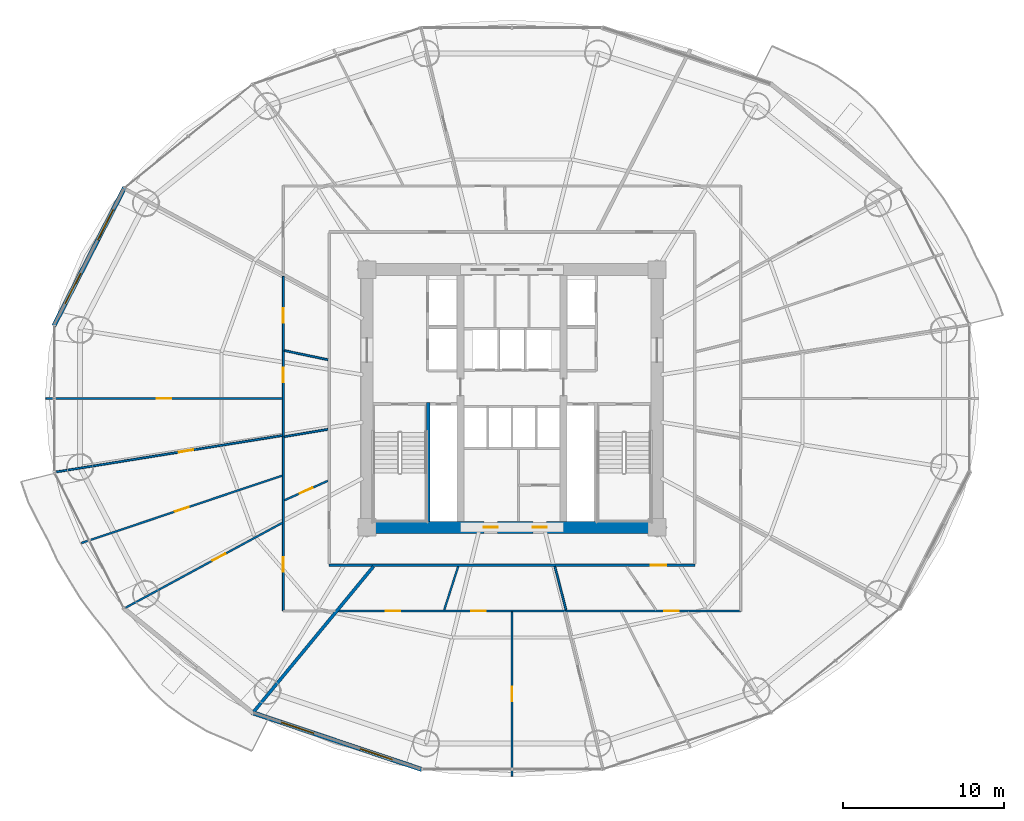
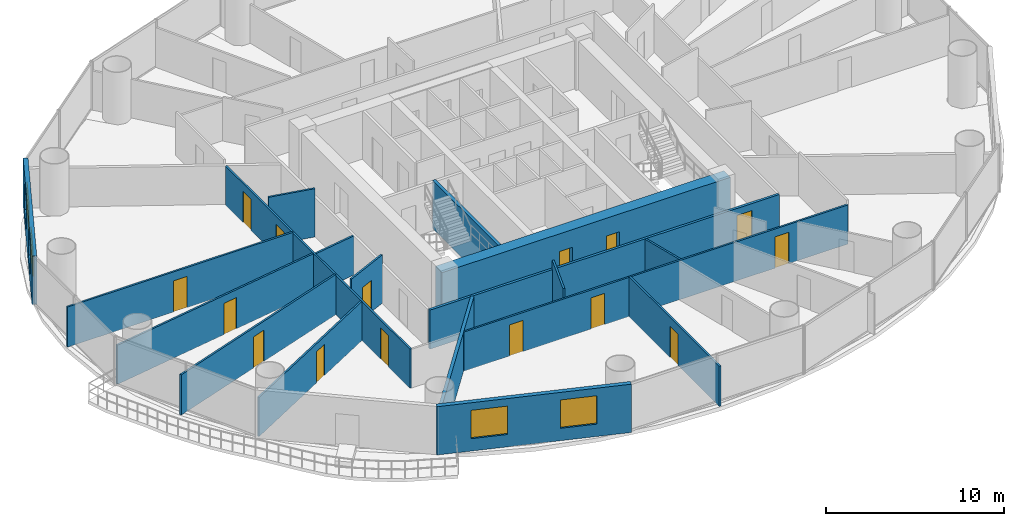
# One storey, part 22 of 29: 18 walls, 15 doors, 4 windows, 19 openings.
"""IFC4 building model written with IfcOpenShell, lengths in metres."""

from ifc_helpers import new_model, si_unit, direction, frame, frame_2d, origin, place, context, subcontext, project, spatial, rectangle, extrude, source, transform, mapped, material, layer, layer_set, type_object, element, fill, save


model = new_model("IFC4")

# Units and contexts
model_context = context("Model", 3, precision=1e-05, world=origin(), true_north=direction((-0.2419218956, 0.970295726276)))
body_context = subcontext(model_context, "Body", "Model", "MODEL_VIEW")
ifc_project = project(units=[si_unit("LENGTHUNIT", "METRE"), si_unit("AREAUNIT", "SQUARE_METRE"), si_unit("VOLUMEUNIT", "CUBIC_METRE"), si_unit("PLANEANGLEUNIT", "RADIAN"), si_unit("MASSUNIT", "GRAM", prefix="KILO")], contexts=[model_context])

# Site, building, storey
site_placement = place(None, origin())
site = spatial("IfcSite", under=ifc_project, at=site_placement, CompositionType="ELEMENT")
building_placement = place(site_placement, origin())
building = spatial("IfcBuilding", under=site, at=building_placement, Name="Cobrevalo Terracotta Tower", CompositionType="ELEMENT")
storey_placement = place(building_placement, frame((0.0, 0.0, 49.199951171875)))
storey = spatial("IfcBuildingStorey", under=building, at=storey_placement, Name="L12", CompositionType="ELEMENT", Elevation=49.199951171875)

# Wall, openings, doors
ifc_material_1 = material(Name="Concrete C60", Category="concrete")
ifc_layer_1 = layer(ifc_material_1, 0.75)
ifc_layer_set_1 = layer_set([ifc_layer_1], Name="Concrete C60")
wall_type_1 = type_object("IfcWallType", Name="Core shear wall 750 mm Concrete C60", PredefinedType="SHEAR", material=ifc_layer_set_1)
wall_1_placement = place(storey_placement, frame((28.625, 18.800048828125, 0.0), z_axis=(0.0, 0.0, 1.0), x_axis=(1.0, 0.0, 0.0)))
wall_1 = element("IfcWall", 1, at=wall_1_placement, inside=storey, type_object=wall_type_1, Name="L12 south core shear wall", PredefinedType="SHEAR", context=body_context, shape_type="SweptSolid", body=[
    extrude(rectangle(XDim=18.75, YDim=0.75, at=frame_2d((9.375, 0.0))), origin(), (0.0, 0.0, 1.0), 3.320068359375),
])
opening_1_placement = place(wall_1_placement, frame((7.62744140625, 0.0, 0.0)))
opening_1 = element("IfcOpeningElement", 2, at=opening_1_placement, cuts=wall_1, Name="Opening ID-22", PredefinedType="OPENING", context=body_context, shape_type="SweptSolid", body=[
    extrude(rectangle(XDim=0.85009765625, YDim=2.10009765625, at=frame_2d((0.425048828125, 1.050048828125))), frame((0.0, 0.385009765625, 0.0), z_axis=(0.0, -1.0, 0.0), x_axis=(1.0, 0.0, 0.0)), (0.0, 0.0, 1.0), 0.77001953125),
])
opening_2_placement = place(wall_1_placement, frame((10.672607421875, 0.0, 0.0)))
opening_2 = element("IfcOpeningElement", 3, at=opening_2_placement, cuts=wall_1, Name="Opening ID-22", PredefinedType="OPENING", context=body_context, shape_type="SweptSolid", body=[
    extrude(rectangle(XDim=0.85009765625, YDim=2.10009765625, at=frame_2d((0.425048828125, 1.050048828125))), frame((0.0, 0.385009765625, 0.0), z_axis=(0.0, -1.0, 0.0), x_axis=(1.0, 0.0, 0.0)), (0.0, 0.0, 1.0), 0.77001953125),
])
ifc_material_2 = material(Name="Powder-coated steel", Category="steel")
door_type_1 = type_object("IfcDoorType", Name="Riser shaft & meter closet fire access door 850x2100 EI 60", OperationType="NOTDEFINED", PredefinedType="DOOR", material=ifc_material_2)
shared_shape_1 = source(origin(), body_context, "Body", "SweptSolid", [
    extrude(rectangle(XDim=0.85009765625, YDim=2.10009765625, at=frame_2d((0.425048828125, 1.050048828125))), frame((0.0, 0.02490234375, 0.0), z_axis=(0.0, -1.0, 0.0), x_axis=(1.0, 0.0, 0.0)), (0.0, 0.0, 1.0), 0.050048828125),
])
door_1_placement = place(opening_1_placement, origin())
door_1 = element("IfcDoor", 4, at=door_1_placement, inside=storey, type_object=door_type_1, Name="L12 core south plant door Floor AHU Mechanical Plant", OperationType="SINGLE_SWING_RIGHT", OverallHeight=2.10009765625, OverallWidth=0.85009765625, PredefinedType="DOOR", context=body_context, shape_type="MappedRepresentation", body=[
    mapped(shared_shape_1, transform((0.0, 0.0, 0.0), scale=1.0)),
])
fill(opening_1, door_1)
door_2_placement = place(opening_2_placement, origin())
door_2 = element("IfcDoor", 5, at=door_2_placement, inside=storey, type_object=door_type_1, Name="L12 core south plant door Sprinkler Valve Plant", OperationType="SINGLE_SWING_RIGHT", OverallHeight=2.10009765625, OverallWidth=0.85009765625, PredefinedType="DOOR", context=body_context, shape_type="MappedRepresentation", body=[
    mapped(shared_shape_1, transform((0.0, 0.0, 0.0), scale=1.0)),
])
fill(opening_2, door_2)

# Wall, opening, door
ifc_material_3 = material(Name="Gypsum board on steel stud", Category="steel")
ifc_layer_2 = layer(ifc_material_3, 0.159912109375)
ifc_layer_set_2 = layer_set([ifc_layer_2], Name="Gypsum board on steel stud")
wall_type_2 = type_object("IfcWallType", Name="Fire-rated corridor acoustic partition wall 160 mm", PredefinedType="PARTITIONING", material=ifc_layer_set_2)
wall_2_placement = place(storey_placement, frame((26.64501953125, 16.445068359375, 0.0), z_axis=(0.0, 0.0, 1.0), x_axis=(1.0, 0.0, 0.0)))
wall_2 = element("IfcWall", 6, at=wall_2_placement, inside=storey, type_object=wall_type_2, Name="L12 interior partition IW-L12-COR-S", PredefinedType="PARTITIONING", context=body_context, shape_type="SweptSolid", body=[
    extrude(rectangle(XDim=22.7099609375, YDim=0.159912109375, at=frame_2d((11.35498046875, 0.0))), origin(), (0.0, 0.0, 1.0), 2.68798828125),
])
opening_3_placement = place(wall_2_placement, frame((19.962158203125, 0.0, 0.0)))
opening_3 = element("IfcOpeningElement", 7, at=opening_3_placement, cuts=wall_2, Name="Opening ID-05", PredefinedType="OPENING", context=body_context, shape_type="SweptSolid", body=[
    extrude(rectangle(XDim=0.97998046875, YDim=2.199951171875, at=frame_2d((0.489990234375, 1.10009765625))), frame((0.0, 0.08984375, 0.0), z_axis=(0.0, -1.0, 0.0), x_axis=(1.0, 0.0, 0.0)), (0.0, 0.0, 1.0), 0.179931640625),
])
ifc_material_4 = material(Name="Solid hardwood timber", Category="wood")
door_type_2 = type_object("IfcDoorType", Name="Residence entrance fire-rated acoustic timber door 980x2200 EI 60", OperationType="NOTDEFINED", PredefinedType="DOOR", material=ifc_material_4)
shared_shape_2 = source(origin(), body_context, "Body", "SweptSolid", [
    extrude(rectangle(XDim=0.97998046875, YDim=2.199951171875, at=frame_2d((0.489990234375, 1.10009765625))), frame((0.0, 0.02490234375, 0.0), z_axis=(0.0, -1.0, 0.0), x_axis=(1.0, 0.0, 0.0)), (0.0, 0.0, 1.0), 0.050048828125),
])
door_3_placement = place(opening_3_placement, origin())
door_3 = element("IfcDoor", 8, at=door_3_placement, inside=storey, type_object=door_type_2, Name="Flat L12D fire-rated apartment entrance door", OperationType="SINGLE_SWING_LEFT", OverallHeight=2.199951171875, OverallWidth=0.97998046875, PredefinedType="DOOR", context=body_context, shape_type="MappedRepresentation", body=[
    mapped(shared_shape_2, transform((0.0, 0.0, 0.0), scale=1.0)),
])
fill(opening_3, door_3)

# Wall
ifc_material_5 = material(Name="Autoclaved aerated concrete block", Category="concrete")
ifc_layer_3 = layer(ifc_material_5, 0.199951171875)
ifc_layer_set_3 = layer_set([ifc_layer_3], Name="Autoclaved aerated concrete block")
wall_type_3 = type_object("IfcWallType", Name="Fire-rated stair, shaft & demising masonry wall 200 mm", PredefinedType="PARTITIONING", material=ifc_layer_set_3)
wall_3_placement = place(storey_placement, frame((29.395751953125, 16.364990234375, 0.0), z_axis=(0.0, 0.0, 1.0), x_axis=(-0.636186165667, -0.771535587393, 0.0)))
element("IfcWall", 9, at=wall_3_placement, inside=storey, type_object=wall_type_3, Name="L12 interior partition IW-L12-DEM-4", PredefinedType="PARTITIONING", context=body_context, shape_type="SweptSolid", body=[
    extrude(rectangle(XDim=11.68310546875, YDim=0.199951171875, at=frame_2d((5.841552734375, 0.0))), origin(), (0.0, 0.0, 1.0), 2.68798828125),
])

# Wall, openings, windows
ifc_layer_4 = layer(ifc_material_5, 0.280029296875)
ifc_layer_set_4 = layer_set([ifc_layer_4], Name="Autoclaved aerated concrete block")
wall_type_4 = type_object("IfcWallType", Name="Insulated tower spandrel & pier wall 280 mm with terracotta rainscreen", PredefinedType="SOLIDWALL", material=ifc_layer_set_4)
wall_4_placement = place(storey_placement, frame((13.94873046875, 39.910400390625, 0.0), z_axis=(0.0, 0.0, 1.0), x_axis=(-0.45523081716, -0.890373462715, 0.0)))
wall_4 = element("IfcWall", 10, at=wall_4_placement, inside=storey, type_object=wall_type_4, Name="L12 terracotta rainscreen pier wall S07", PredefinedType="SOLIDWALL", context=body_context, shape_type="SweptSolid", body=[
    extrude(rectangle(XDim=9.662109375, YDim=0.280029296875, at=frame_2d((4.8310546875, 0.0))), origin(), (0.0, 0.0, 1.0), 3.320068359375),
])
opening_4_placement = place(wall_4_placement, frame((1.558837890625, 0.0, 0.85009765625)))
opening_4 = element("IfcOpeningElement", 11, at=opening_4_placement, cuts=wall_4, Name="Opening WN-10", PredefinedType="OPENING", context=body_context, shape_type="SweptSolid", body=[
    extrude(rectangle(XDim=2.10009765625, YDim=1.949951171875, at=frame_2d((1.050048828125, 0.97509765625))), frame((0.0, 0.14990234375, 0.0), z_axis=(0.0, -1.0, 0.0), x_axis=(1.0, 0.0, 0.0)), (0.0, 0.0, 1.0), 0.300048828125),
])
opening_5_placement = place(wall_4_placement, frame((6.00341796875, 0.0, 0.85009765625)))
opening_5 = element("IfcOpeningElement", 12, at=opening_5_placement, cuts=wall_4, Name="Opening WN-10", PredefinedType="OPENING", context=body_context, shape_type="SweptSolid", body=[
    extrude(rectangle(XDim=2.10009765625, YDim=1.949951171875, at=frame_2d((1.050048828125, 0.97509765625))), frame((0.0, 0.14990234375, 0.0), z_axis=(0.0, -1.0, 0.0), x_axis=(1.0, 0.0, 0.0)), (0.0, 0.0, 1.0), 0.300048828125),
])
ifc_material_6 = material(Name="Solar-control low-E double glazing", Category="glass")
window_type = type_object("IfcWindowType", Name="Wide panoramic low-E aluminium window 2100x1950", PartitioningType="SINGLE_PANEL", PredefinedType="WINDOW", material=ifc_material_6)
shared_shape_3 = source(origin(), body_context, "Body", "SweptSolid", [
    extrude(rectangle(XDim=2.10009765625, YDim=1.949951171875, at=frame_2d((1.050048828125, 0.97509765625))), frame((0.0, 0.030029296875, 0.0), z_axis=(0.0, -1.0, 0.0), x_axis=(1.0, 0.0, 0.0)), (0.0, 0.0, 1.0), 0.06005859375),
])
window_1_placement = place(opening_4_placement, origin())
window_1 = element("IfcWindow", 13, at=window_1_placement, inside=storey, type_object=window_type, Name="L12 suite window S07A", OverallHeight=1.949951171875, OverallWidth=2.10009765625, PartitioningType="SINGLE_PANEL", PredefinedType="WINDOW", context=body_context, shape_type="MappedRepresentation", body=[
    mapped(shared_shape_3, transform((0.0, 0.0, 0.0), scale=1.0)),
])
fill(opening_4, window_1)
window_2_placement = place(opening_5_placement, origin())
window_2 = element("IfcWindow", 14, at=window_2_placement, inside=storey, type_object=window_type, Name="L12 suite window S07B", OverallHeight=1.949951171875, OverallWidth=2.10009765625, PartitioningType="SINGLE_PANEL", PredefinedType="WINDOW", context=body_context, shape_type="MappedRepresentation", body=[
    mapped(shared_shape_3, transform((0.0, 0.0, 0.0), scale=1.0)),
])
fill(opening_5, window_2)

wall_5_placement = place(storey_placement, frame((21.829345703125, 7.310791015625, 0.0), z_axis=(0.0, 0.0, 1.0), x_axis=(0.948047847546, -0.31812777113, 0.0)))
wall_5 = element("IfcWall", 15, at=wall_5_placement, inside=storey, type_object=wall_type_4, Name="L12 terracotta rainscreen pier wall S11", PredefinedType="SOLIDWALL", context=body_context, shape_type="SweptSolid", body=[
    extrude(rectangle(XDim=11.17529296875, YDim=0.280029296875, at=frame_2d((5.587646484375, 0.0))), origin(), (0.0, 0.0, 1.0), 3.320068359375),
])
opening_6_placement = place(wall_5_placement, frame((1.96728515625, 0.0, 0.85009765625)))
opening_6 = element("IfcOpeningElement", 16, at=opening_6_placement, cuts=wall_5, Name="Opening WN-10", PredefinedType="OPENING", context=body_context, shape_type="SweptSolid", body=[
    extrude(rectangle(XDim=2.10009765625, YDim=1.949951171875, at=frame_2d((1.050048828125, 0.97509765625))), frame((0.0, 0.14990234375, 0.0), z_axis=(0.0, -1.0, 0.0), x_axis=(1.0, 0.0, 0.0)), (0.0, 0.0, 1.0), 0.300048828125),
])
opening_7_placement = place(wall_5_placement, frame((7.108154296875, 0.0, 0.85009765625)))
opening_7 = element("IfcOpeningElement", 17, at=opening_7_placement, cuts=wall_5, Name="Opening WN-10", PredefinedType="OPENING", context=body_context, shape_type="SweptSolid", body=[
    extrude(rectangle(XDim=2.10009765625, YDim=1.949951171875, at=frame_2d((1.050048828125, 0.97509765625))), frame((0.0, 0.14990234375, 0.0), z_axis=(0.0, -1.0, 0.0), x_axis=(1.0, 0.0, 0.0)), (0.0, 0.0, 1.0), 0.300048828125),
])
window_3_placement = place(opening_6_placement, origin())
window_3 = element("IfcWindow", 18, at=window_3_placement, inside=storey, type_object=window_type, Name="L12 suite window S11A", OverallHeight=1.949951171875, OverallWidth=2.10009765625, PartitioningType="SINGLE_PANEL", PredefinedType="WINDOW", context=body_context, shape_type="MappedRepresentation", body=[
    mapped(shared_shape_3, transform((0.0, 0.0, 0.0), scale=1.0)),
])
fill(opening_6, window_3)
window_4_placement = place(opening_7_placement, origin())
window_4 = element("IfcWindow", 19, at=window_4_placement, inside=storey, type_object=window_type, Name="L12 suite window S11B", OverallHeight=1.949951171875, OverallWidth=2.10009765625, PartitioningType="SINGLE_PANEL", PredefinedType="WINDOW", context=body_context, shape_type="MappedRepresentation", body=[
    mapped(shared_shape_3, transform((0.0, 0.0, 0.0), scale=1.0)),
])
fill(opening_7, window_4)

# Wall, openings, doors
ifc_layer_5 = layer(ifc_material_3, 0.1201171875)
ifc_layer_set_5 = layer_set([ifc_layer_5], Name="Gypsum board on steel stud")
wall_type_5 = type_object("IfcWallType", Name="Residential internal acoustic stud partition 120 mm", PredefinedType="PARTITIONING", material=ifc_layer_set_5)
wall_6_placement = place(storey_placement, frame((23.804931640625, 13.60498046875, 0.0), z_axis=(0.0, 0.0, 1.0), x_axis=(0.0, 1.0, 0.0)))
wall_6 = element("IfcWall", 20, at=wall_6_placement, inside=storey, type_object=wall_type_5, Name="L12 interior partition IW-L12-U3-RING1_0", PredefinedType="PARTITIONING", context=body_context, shape_type="SweptSolid", body=[
    extrude(rectangle(XDim=20.779052734375, YDim=0.1201171875, at=frame_2d((10.3896484375, 0.0))), origin(), (0.0, 0.0, 1.0), 2.68798828125),
])
opening_8_placement = place(wall_6_placement, frame((2.424560546875, 0.0, 0.0)))
opening_8 = element("IfcOpeningElement", 21, at=opening_8_placement, cuts=wall_6, Name="Opening ID-12", PredefinedType="OPENING", context=body_context, shape_type="SweptSolid", body=[
    extrude(rectangle(XDim=0.89990234375, YDim=2.14990234375, at=frame_2d((0.449951171875, 1.074951171875))), frame((0.0, 0.070068359375, 0.0), z_axis=(0.0, -1.0, 0.0), x_axis=(1.0, 0.0, 0.0)), (0.0, 0.0, 1.0), 0.14013671875),
])
opening_9_placement = place(wall_6_placement, frame((14.19873046875, 0.0, 0.0)))
opening_9 = element("IfcOpeningElement", 22, at=opening_9_placement, cuts=wall_6, Name="Opening ID-12", PredefinedType="OPENING", context=body_context, shape_type="SweptSolid", body=[
    extrude(rectangle(XDim=0.89990234375, YDim=2.14990234375, at=frame_2d((0.449951171875, 1.074951171875))), frame((0.0, 0.070068359375, 0.0), z_axis=(0.0, -1.0, 0.0), x_axis=(1.0, 0.0, 0.0)), (0.0, 0.0, 1.0), 0.14013671875),
])
opening_10_placement = place(wall_6_placement, frame((17.908203125, 0.0, 0.0)))
opening_10 = element("IfcOpeningElement", 23, at=opening_10_placement, cuts=wall_6, Name="Opening ID-12", PredefinedType="OPENING", context=body_context, shape_type="SweptSolid", body=[
    extrude(rectangle(XDim=0.89990234375, YDim=2.14990234375, at=frame_2d((0.449951171875, 1.074951171875))), frame((0.0, 0.070068359375, 0.0), z_axis=(0.0, -1.0, 0.0), x_axis=(1.0, 0.0, 0.0)), (0.0, 0.0, 1.0), 0.14013671875),
])
ifc_material_7 = material(Name="Engineered timber", Category="wood")
door_type_3 = type_object("IfcDoorType", Name="Internal residence & suite timber door 900x2150", OperationType="NOTDEFINED", PredefinedType="DOOR", material=ifc_material_7)
shared_shape_4 = source(origin(), body_context, "Body", "SweptSolid", [
    extrude(rectangle(XDim=0.89990234375, YDim=2.14990234375, at=frame_2d((0.449951171875, 1.074951171875))), frame((0.0, 0.02490234375, 0.0), z_axis=(0.0, -1.0, 0.0), x_axis=(1.0, 0.0, 0.0)), (0.0, 0.0, 1.0), 0.050048828125),
])
door_4_placement = place(opening_8_placement, origin())
door_4 = element("IfcDoor", 24, at=door_4_placement, inside=storey, type_object=door_type_3, Name="Flat L12C Penthouse Family Lounge internal door", OperationType="SINGLE_SWING_RIGHT", OverallHeight=2.14990234375, OverallWidth=0.89990234375, PredefinedType="DOOR", context=body_context, shape_type="MappedRepresentation", body=[
    mapped(shared_shape_4, transform((0.0, 0.0, 0.0), scale=1.0)),
])
fill(opening_8, door_4)
door_5_placement = place(opening_9_placement, frame((0.89990234375, 0.0, 0.0), z_axis=(0.0, 0.0, 1.0), x_axis=(-1.0, 0.0, 0.0)))
door_5 = element("IfcDoor", 25, at=door_5_placement, inside=storey, type_object=door_type_3, Name="Flat L12C Kitchen internal door", OperationType="SINGLE_SWING_LEFT", OverallHeight=2.14990234375, OverallWidth=0.89990234375, PredefinedType="DOOR", context=body_context, shape_type="MappedRepresentation", body=[
    mapped(shared_shape_4, transform((0.0, 0.0, 0.0), scale=1.0)),
])
fill(opening_9, door_5)
door_6_placement = place(opening_10_placement, frame((0.89990234375, 0.0, 0.0), z_axis=(0.0, 0.0, 1.0), x_axis=(-1.0, 0.0, 0.0)))
door_6 = element("IfcDoor", 26, at=door_6_placement, inside=storey, type_object=door_type_3, Name="Flat L12C Home Office Study internal door", OperationType="SINGLE_SWING_RIGHT", OverallHeight=2.14990234375, OverallWidth=0.89990234375, PredefinedType="DOOR", context=body_context, shape_type="MappedRepresentation", body=[
    mapped(shared_shape_4, transform((0.0, 0.0, 0.0), scale=1.0)),
])
fill(opening_10, door_6)

# Wall, opening, door
wall_7_placement = place(storey_placement, frame((23.742919921875, 26.800048828125, 0.0), z_axis=(0.0, 0.0, 1.0), x_axis=(-1.0, 0.0, 0.0)))
wall_7 = element("IfcWall", 27, at=wall_7_placement, inside=storey, type_object=wall_type_5, Name="L12 interior partition IW-L12-U3-ORAD1", PredefinedType="PARTITIONING", context=body_context, shape_type="SweptSolid", body=[
    extrude(rectangle(XDim=14.682861328125, YDim=0.1201171875, at=frame_2d((7.34130859375, 0.0))), origin(), (0.0, 0.0, 1.0), 2.761962890625),
])
opening_11_placement = place(wall_7_placement, frame((6.8916015625, 0.0, 0.0)))
opening_11 = element("IfcOpeningElement", 28, at=opening_11_placement, cuts=wall_7, Name="Opening ID-12", PredefinedType="OPENING", context=body_context, shape_type="SweptSolid", body=[
    extrude(rectangle(XDim=0.89990234375, YDim=2.14990234375, at=frame_2d((0.449951171875, 1.074951171875))), frame((0.0, 0.070068359375, 0.0), z_axis=(0.0, -1.0, 0.0), x_axis=(1.0, 0.0, 0.0)), (0.0, 0.0, 1.0), 0.14013671875),
])
door_7_placement = place(opening_11_placement, frame((0.89990234375, 0.0, 0.0), z_axis=(0.0, 0.0, 1.0), x_axis=(-1.0, 0.0, 0.0)))
door_7 = element("IfcDoor", 29, at=door_7_placement, inside=storey, type_object=door_type_3, Name="Flat L12C Penthouse Living and Dining Room internal door", OperationType="SINGLE_SWING_RIGHT", OverallHeight=2.14990234375, OverallWidth=0.89990234375, PredefinedType="DOOR", context=body_context, shape_type="MappedRepresentation", body=[
    mapped(shared_shape_4, transform((0.0, 0.0, 0.0), scale=1.0)),
])
fill(opening_11, door_7)

wall_8_placement = place(storey_placement, frame((23.743896484375, 24.501953125, 0.0), z_axis=(0.0, 0.0, 1.0), x_axis=(-0.987259708938, -0.159117149007, 0.0)))
wall_8 = element("IfcWall", 30, at=wall_8_placement, inside=storey, type_object=wall_type_5, Name="L12 interior partition IW-L12-U3-ORAD2", PredefinedType="PARTITIONING", context=body_context, shape_type="SweptSolid", body=[
    extrude(rectangle(XDim=14.248046875, YDim=0.1201171875, at=frame_2d((7.1240234375, 0.0))), origin(), (0.0, 0.0, 1.0), 2.68798828125),
])
opening_12_placement = place(wall_8_placement, frame((5.603271484375, 0.0, 0.0)))
opening_12 = element("IfcOpeningElement", 31, at=opening_12_placement, cuts=wall_8, Name="Opening ID-12", PredefinedType="OPENING", context=body_context, shape_type="SweptSolid", body=[
    extrude(rectangle(XDim=0.89990234375, YDim=2.14990234375, at=frame_2d((0.449951171875, 1.074951171875))), frame((0.0, 0.070068359375, 0.0), z_axis=(0.0, -1.0, 0.0), x_axis=(1.0, 0.0, 0.0)), (0.0, 0.0, 1.0), 0.14013671875),
])
door_8_placement = place(opening_12_placement, frame((0.89990234375, 0.0, 0.0), z_axis=(0.0, 0.0, 1.0), x_axis=(-1.0, 0.0, 0.0)))
door_8 = element("IfcDoor", 32, at=door_8_placement, inside=storey, type_object=door_type_3, Name="Flat L12C Master Bedroom internal door", OperationType="SINGLE_SWING_LEFT", OverallHeight=2.14990234375, OverallWidth=0.89990234375, PredefinedType="DOOR", context=body_context, shape_type="MappedRepresentation", body=[
    mapped(shared_shape_4, transform((0.0, 0.0, 0.0), scale=1.0)),
])
fill(opening_12, door_8)

wall_9_placement = place(storey_placement, frame((23.746337890625, 22.015625, 0.0), z_axis=(0.0, 0.0, 1.0), x_axis=(-0.948022802246, -0.318202398516, 0.0)))
wall_9 = element("IfcWall", 33, at=wall_9_placement, inside=storey, type_object=wall_type_5, Name="L12 interior partition IW-L12-U3-ORAD3M1", PredefinedType="PARTITIONING", context=body_context, shape_type="SweptSolid", body=[
    extrude(rectangle(XDim=13.162841796875, YDim=0.1201171875, at=frame_2d((6.58154296875, 0.0))), origin(), (0.0, 0.0, 1.0), 2.761962890625),
])
opening_13_placement = place(wall_9_placement, frame((6.13134765625, 0.0, 0.0)))
opening_13 = element("IfcOpeningElement", 34, at=opening_13_placement, cuts=wall_9, Name="Opening ID-12", PredefinedType="OPENING", context=body_context, shape_type="SweptSolid", body=[
    extrude(rectangle(XDim=0.89990234375, YDim=2.14990234375, at=frame_2d((0.449951171875, 1.074951171875))), frame((0.0, 0.070068359375, 0.0), z_axis=(0.0, -1.0, 0.0), x_axis=(1.0, 0.0, 0.0)), (0.0, 0.0, 1.0), 0.14013671875),
])
door_9_placement = place(opening_13_placement, frame((0.89990234375, 0.0, 0.0), z_axis=(0.0, 0.0, 1.0), x_axis=(-1.0, 0.0, 0.0)))
door_9 = element("IfcDoor", 35, at=door_9_placement, inside=storey, type_object=door_type_3, Name="Flat L12C Principal Guest Bedroom internal door", OperationType="SINGLE_SWING_RIGHT", OverallHeight=2.14990234375, OverallWidth=0.89990234375, PredefinedType="DOOR", context=body_context, shape_type="MappedRepresentation", body=[
    mapped(shared_shape_4, transform((0.0, 0.0, 0.0), scale=1.0)),
])
fill(opening_13, door_9)

wall_10_placement = place(storey_placement, frame((23.75048828125, 19.08447265625, 0.0), z_axis=(0.0, 0.0, 1.0), x_axis=(-0.879370672984, -0.476137815654, 0.0)))
wall_10 = element("IfcWall", 36, at=wall_10_placement, inside=storey, type_object=wall_type_5, Name="L12 interior partition IW-L12-U3-ORAD3", PredefinedType="PARTITIONING", context=body_context, shape_type="SweptSolid", body=[
    extrude(rectangle(XDim=11.094482421875, YDim=0.1201171875, at=frame_2d((5.54736328125, 0.0))), origin(), (0.0, 0.0, 1.0), 2.68798828125),
])
opening_14_placement = place(wall_10_placement, frame((4.0341796875, 0.0, 0.0)))
opening_14 = element("IfcOpeningElement", 37, at=opening_14_placement, cuts=wall_10, Name="Opening ID-12", PredefinedType="OPENING", context=body_context, shape_type="SweptSolid", body=[
    extrude(rectangle(XDim=0.89990234375, YDim=2.14990234375, at=frame_2d((0.449951171875, 1.074951171875))), frame((0.0, 0.070068359375, 0.0), z_axis=(0.0, -1.0, 0.0), x_axis=(1.0, 0.0, 0.0)), (0.0, 0.0, 1.0), 0.14013671875),
])
door_10_placement = place(opening_14_placement, frame((0.89990234375, 0.0, 0.0), z_axis=(0.0, 0.0, 1.0), x_axis=(-1.0, 0.0, 0.0)))
door_10 = element("IfcDoor", 38, at=door_10_placement, inside=storey, type_object=door_type_3, Name="Flat L12C Principal Guest Bedroom internal door", OperationType="SINGLE_SWING_LEFT", OverallHeight=2.14990234375, OverallWidth=0.89990234375, PredefinedType="DOOR", context=body_context, shape_type="MappedRepresentation", body=[
    mapped(shared_shape_4, transform((0.0, 0.0, 0.0), scale=1.0)),
])
fill(opening_14, door_10)

# Walls
wall_11_placement = place(storey_placement, frame((26.56494140625, 29.20654296875, 0.0), z_axis=(0.0, 0.0, 1.0), x_axis=(-0.978560113768, 0.205961413236, 0.0)))
element("IfcWall", 39, at=wall_11_placement, inside=storey, type_object=wall_type_5, Name="L12 interior partition IW-L12-U3-IRAD1", PredefinedType="PARTITIONING", context=body_context, shape_type="SweptSolid", body=[
    extrude(rectangle(XDim=2.75830078125, YDim=0.1201171875, at=frame_2d((1.379150390625, 0.0))), origin(), (0.0, 0.0, 1.0), 3.320068359375),
])
wall_12_placement = place(storey_placement, frame((26.56494140625, 24.882568359375, 0.0), z_axis=(0.0, 0.0, 1.0), x_axis=(-0.986224611599, -0.165411654596, 0.0)))
element("IfcWall", 40, at=wall_12_placement, inside=storey, type_object=wall_type_5, Name="L12 interior partition IW-L12-U3-IRAD2", PredefinedType="PARTITIONING", context=body_context, shape_type="SweptSolid", body=[
    extrude(rectangle(XDim=2.736328125, YDim=0.1201171875, at=frame_2d((1.3681640625, 0.0))), origin(), (0.0, 0.0, 1.0), 2.68798828125),
])

# Wall, opening, door
wall_13_placement = place(storey_placement, frame((26.56494140625, 21.685302734375, 0.0), z_axis=(0.0, 0.0, 1.0), x_axis=(-0.912840085104, -0.408317252914, 0.0)))
wall_13 = element("IfcWall", 41, at=wall_13_placement, inside=storey, type_object=wall_type_5, Name="L12 interior partition IW-L12-U3-IRAD3", PredefinedType="PARTITIONING", context=body_context, shape_type="SweptSolid", body=[
    extrude(rectangle(XDim=2.96142578125, YDim=0.1201171875, at=frame_2d((1.480712890625, 0.0))), origin(), (0.0, 0.0, 1.0), 3.320068359375),
])
opening_15_placement = place(wall_13_placement, frame((1.05078125, 0.0, 0.0)))
opening_15 = element("IfcOpeningElement", 42, at=opening_15_placement, cuts=wall_13, Name="Opening ID-19", PredefinedType="OPENING", context=body_context, shape_type="SweptSolid", body=[
    extrude(rectangle(XDim=0.860107421875, YDim=2.14990234375, at=frame_2d((0.43017578125, 1.074951171875))), frame((0.0, 0.070068359375, 0.0), z_axis=(0.0, -1.0, 0.0), x_axis=(1.0, 0.0, 0.0)), (0.0, 0.0, 1.0), 0.14013671875),
])
ifc_material_8 = material(Name="Moisture-sealed timber", Category="wood")
door_type_4 = type_object("IfcDoorType", Name="Suite bathroom internal timber door 860x2150", OperationType="NOTDEFINED", PredefinedType="DOOR", material=ifc_material_8)
shared_shape_5 = source(origin(), body_context, "Body", "SweptSolid", [
    extrude(rectangle(XDim=0.860107421875, YDim=2.14990234375, at=frame_2d((0.43017578125, 1.074951171875))), frame((0.0, 0.02490234375, 0.0), z_axis=(0.0, -1.0, 0.0), x_axis=(1.0, 0.0, 0.0)), (0.0, 0.0, 1.0), 0.050048828125),
])
door_11_placement = place(opening_15_placement, frame((0.860107421875, 0.0, 0.0), z_axis=(0.0, 0.0, 1.0), x_axis=(-1.0, 0.0, 0.0)))
door_11 = element("IfcDoor", 43, at=door_11_placement, inside=storey, type_object=door_type_4, Name="Flat L12C Primary Bathroom internal door", OperationType="SINGLE_SWING_LEFT", OverallHeight=2.14990234375, OverallWidth=0.860107421875, PredefinedType="DOOR", context=body_context, shape_type="MappedRepresentation", body=[
    mapped(shared_shape_5, transform((0.0, 0.0, 0.0), scale=1.0)),
])
fill(opening_15, door_11)

# Wall, openings, doors
wall_14_placement = place(storey_placement, frame((52.195068359375, 13.60498046875, 0.0), z_axis=(0.0, 0.0, 1.0), x_axis=(-1.0, 0.0, 0.0)))
wall_14 = element("IfcWall", 44, at=wall_14_placement, inside=storey, type_object=wall_type_5, Name="L12 interior partition IW-L12-U4-RING1_0", PredefinedType="PARTITIONING", context=body_context, shape_type="SweptSolid", body=[
    extrude(rectangle(XDim=24.97314453125, YDim=0.1201171875, at=frame_2d((12.486572265625, 0.0))), origin(), (0.0, 0.0, 1.0), 2.68798828125),
])
opening_16_placement = place(wall_14_placement, frame((3.8408203125, 0.0, 0.0)))
opening_16 = element("IfcOpeningElement", 45, at=opening_16_placement, cuts=wall_14, Name="Opening ID-12", PredefinedType="OPENING", context=body_context, shape_type="SweptSolid", body=[
    extrude(rectangle(XDim=0.89990234375, YDim=2.14990234375, at=frame_2d((0.449951171875, 1.074951171875))), frame((0.0, 0.070068359375, 0.0), z_axis=(0.0, -1.0, 0.0), x_axis=(1.0, 0.0, 0.0)), (0.0, 0.0, 1.0), 0.14013671875),
])
opening_17_placement = place(wall_14_placement, frame((15.8193359375, 0.0, 0.0)))
opening_17 = element("IfcOpeningElement", 46, at=opening_17_placement, cuts=wall_14, Name="Opening ID-12", PredefinedType="OPENING", context=body_context, shape_type="SweptSolid", body=[
    extrude(rectangle(XDim=0.89990234375, YDim=2.14990234375, at=frame_2d((0.449951171875, 1.074951171875))), frame((0.0, 0.070068359375, 0.0), z_axis=(0.0, -1.0, 0.0), x_axis=(1.0, 0.0, 0.0)), (0.0, 0.0, 1.0), 0.14013671875),
])
opening_18_placement = place(wall_14_placement, frame((21.12255859375, 0.0, 0.0)))
opening_18 = element("IfcOpeningElement", 47, at=opening_18_placement, cuts=wall_14, Name="Opening ID-12", PredefinedType="OPENING", context=body_context, shape_type="SweptSolid", body=[
    extrude(rectangle(XDim=0.89990234375, YDim=2.14990234375, at=frame_2d((0.449951171875, 1.074951171875))), frame((0.0, 0.070068359375, 0.0), z_axis=(0.0, -1.0, 0.0), x_axis=(1.0, 0.0, 0.0)), (0.0, 0.0, 1.0), 0.14013671875),
])
door_12_placement = place(opening_16_placement, origin())
door_12 = element("IfcDoor", 48, at=door_12_placement, inside=storey, type_object=door_type_3, Name="Flat L12D Penthouse Family Lounge internal door", OperationType="SINGLE_SWING_LEFT", OverallHeight=2.14990234375, OverallWidth=0.89990234375, PredefinedType="DOOR", context=body_context, shape_type="MappedRepresentation", body=[
    mapped(shared_shape_4, transform((0.0, 0.0, 0.0), scale=1.0)),
])
fill(opening_16, door_12)
door_13_placement = place(opening_17_placement, frame((0.89990234375, 0.0, 0.0), z_axis=(0.0, 0.0, 1.0), x_axis=(-1.0, 0.0, 0.0)))
door_13 = element("IfcDoor", 49, at=door_13_placement, inside=storey, type_object=door_type_3, Name="Flat L12D Kitchen internal door", OperationType="SINGLE_SWING_RIGHT", OverallHeight=2.14990234375, OverallWidth=0.89990234375, PredefinedType="DOOR", context=body_context, shape_type="MappedRepresentation", body=[
    mapped(shared_shape_4, transform((0.0, 0.0, 0.0), scale=1.0)),
])
fill(opening_17, door_13)
door_14_placement = place(opening_18_placement, frame((0.89990234375, 0.0, 0.0), z_axis=(0.0, 0.0, 1.0), x_axis=(-1.0, 0.0, 0.0)))
door_14 = element("IfcDoor", 50, at=door_14_placement, inside=storey, type_object=door_type_3, Name="Flat L12D Home Office Study internal door", OperationType="SINGLE_SWING_LEFT", OverallHeight=2.14990234375, OverallWidth=0.89990234375, PredefinedType="DOOR", context=body_context, shape_type="MappedRepresentation", body=[
    mapped(shared_shape_4, transform((0.0, 0.0, 0.0), scale=1.0)),
])
fill(opening_18, door_14)

# Wall, opening, door
wall_15_placement = place(storey_placement, frame((38.0, 13.54296875, 0.0), z_axis=(0.0, 0.0, 1.0), x_axis=(0.0, -1.0, 0.0)))
wall_15 = element("IfcWall", 51, at=wall_15_placement, inside=storey, type_object=wall_type_5, Name="L12 interior partition IW-L12-U4-ORAD1", PredefinedType="PARTITIONING", context=body_context, shape_type="SweptSolid", body=[
    extrude(rectangle(XDim=10.182861328125, YDim=0.1201171875, at=frame_2d((5.09130859375, 0.0))), origin(), (0.0, 0.0, 1.0), 2.761962890625),
])
opening_19_placement = place(wall_15_placement, frame((4.6416015625, 0.0, 0.0)))
opening_19 = element("IfcOpeningElement", 52, at=opening_19_placement, cuts=wall_15, Name="Opening ID-12", PredefinedType="OPENING", context=body_context, shape_type="SweptSolid", body=[
    extrude(rectangle(XDim=0.89990234375, YDim=2.14990234375, at=frame_2d((0.449951171875, 1.074951171875))), frame((0.0, 0.070068359375, 0.0), z_axis=(0.0, -1.0, 0.0), x_axis=(1.0, 0.0, 0.0)), (0.0, 0.0, 1.0), 0.14013671875),
])
door_15_placement = place(opening_19_placement, frame((0.89990234375, 0.0, 0.0), z_axis=(0.0, 0.0, 1.0), x_axis=(-1.0, 0.0, 0.0)))
door_15 = element("IfcDoor", 53, at=door_15_placement, inside=storey, type_object=door_type_3, Name="Flat L12D Penthouse Living and Dining Room internal door", OperationType="SINGLE_SWING_LEFT", OverallHeight=2.14990234375, OverallWidth=0.89990234375, PredefinedType="DOOR", context=body_context, shape_type="MappedRepresentation", body=[
    mapped(shared_shape_4, transform((0.0, 0.0, 0.0), scale=1.0)),
])
fill(opening_19, door_15)

# Walls
wall_16_placement = place(storey_placement, frame((34.655517578125, 16.364990234375, 0.0), z_axis=(0.0, 0.0, 1.0), x_axis=(-0.305153630579, -0.952303135427, 0.0)))
element("IfcWall", 54, at=wall_16_placement, inside=storey, type_object=wall_type_5, Name="L12 interior partition IW-L12-U4-IRAD1", PredefinedType="PARTITIONING", context=body_context, shape_type="SweptSolid", body=[
    extrude(rectangle(XDim=2.836181640625, YDim=0.1201171875, at=frame_2d((1.41796875, 0.0))), origin(), (0.0, 0.0, 1.0), 3.320068359375),
])
wall_17_placement = place(storey_placement, frame((40.664794921875, 16.364990234375, 0.0), z_axis=(0.0, 0.0, 1.0), x_axis=(0.2474182455, -0.968908773721, 0.0)))
element("IfcWall", 55, at=wall_17_placement, inside=storey, type_object=wall_type_5, Name="L12 interior partition IW-L12-U4-IRAD2", PredefinedType="PARTITIONING", context=body_context, shape_type="SweptSolid", body=[
    extrude(rectangle(XDim=2.78662109375, YDim=0.1201171875, at=frame_2d((1.393310546875, 0.0))), origin(), (0.0, 0.0, 1.0), 2.68798828125),
])
ifc_material_9 = material(Name="Concrete C50", Category="concrete")
ifc_layer_6 = layer(ifc_material_9, 0.199951171875)
ifc_layer_set_6 = layer_set([ifc_layer_6], Name="Concrete C50")
wall_type_6 = type_object("IfcWallType", Name="Structural core & podium stair-shaft RC wall 200 mm Concrete C50", PredefinedType="SOLIDWALL", material=ifc_layer_set_6)
wall_18_placement = place(storey_placement, frame((32.794921875, 19.175048828125, 0.0), z_axis=(0.0, 0.0, 1.0), x_axis=(0.0, 1.0, 0.0)))
element("IfcWall", 56, at=wall_18_placement, inside=storey, type_object=wall_type_6, Name="L12 ST-1 east structural shaft wall", PredefinedType="SOLIDWALL", context=body_context, shape_type="SweptSolid", body=[
    extrude(rectangle(XDim=7.375, YDim=0.199951171875, at=frame_2d((3.6875, 0.0))), origin(), (0.0, 0.0, 1.0), 3.320068359375),
])

save(model, "model.ifc")
